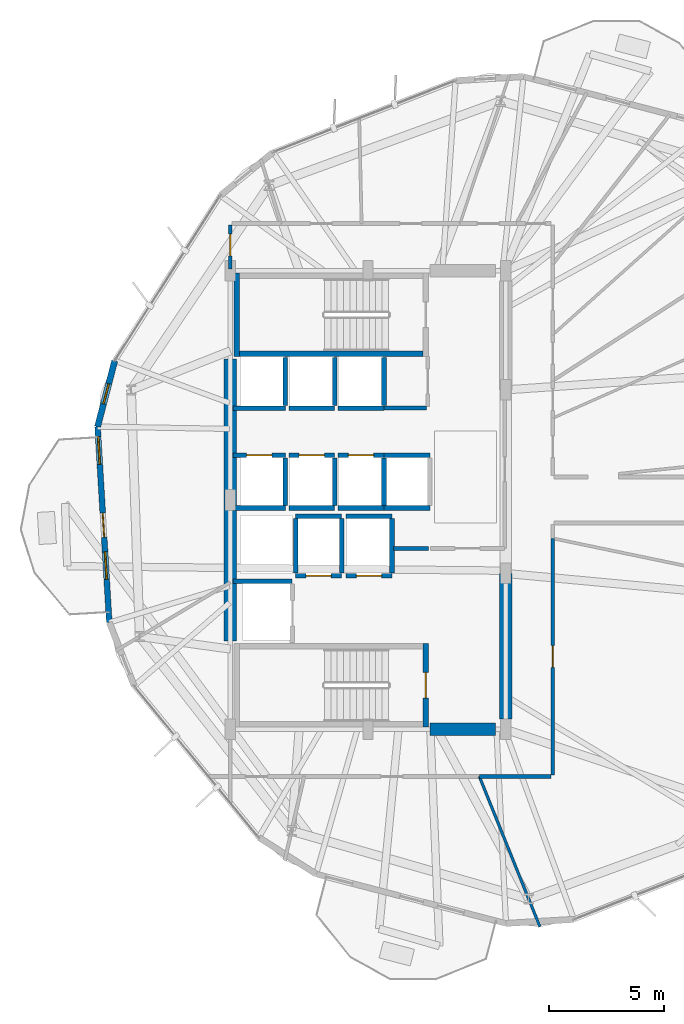
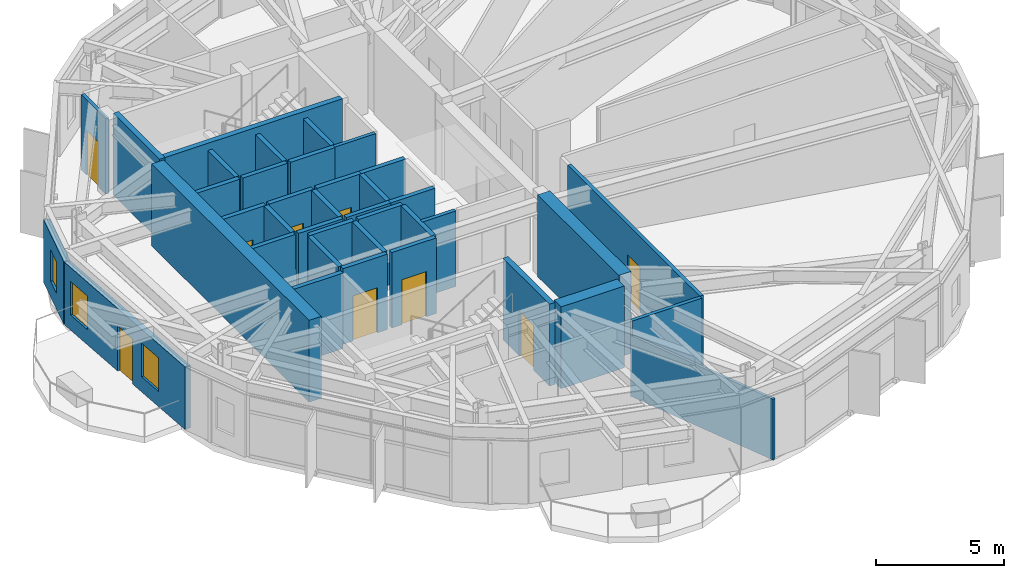
# One storey, part 17 of 22: 39 walls, 9 doors, 3 windows, 12 openings.
"""IFC4 building model written with IfcOpenShell, lengths in metres."""

from ifc_helpers import new_model, si_unit, direction, frame, frame_2d, origin, place, context, subcontext, project, spatial, rectangle, extrude, material, layer, layer_set, type_object, element, fill, save


model = new_model("IFC4")

# Units and contexts
model_context = context("Model", 3, precision=1e-05, world=origin(), true_north=direction((0.0, 1.0)))
body_context = subcontext(model_context, "Body", "Model", "MODEL_VIEW")
ifc_project = project(units=[si_unit("LENGTHUNIT", "METRE"), si_unit("AREAUNIT", "SQUARE_METRE"), si_unit("VOLUMEUNIT", "CUBIC_METRE"), si_unit("PLANEANGLEUNIT", "RADIAN"), si_unit("MASSUNIT", "GRAM", prefix="KILO")], contexts=[model_context])

# Site, building, storey
site_placement = place(None, origin())
site = spatial("IfcSite", under=ifc_project, at=site_placement, CompositionType="ELEMENT")
building_placement = place(site_placement, origin())
building = spatial("IfcBuilding", under=site, at=building_placement, Name="Soratama Intermodal Tower", CompositionType="ELEMENT")
storey_placement = place(building_placement, frame((0.0, 0.0, 110.800048828125)))
storey = spatial("IfcBuildingStorey", under=building, at=storey_placement, Name="L26", CompositionType="ELEMENT", Elevation=110.800048828125)

# Wall, openings, door, windows
ifc_material_1 = material(Name="Concrete f'c 42 MPa", Category="concrete")
ifc_layer_1 = layer(ifc_material_1, 0.25)
ifc_layer_set_1 = layer_set([ifc_layer_1], Name="Concrete f'c 42 MPa")
wall_type_1 = type_object("IfcWallType", Name="EW-BAL-250", PredefinedType="SOLIDWALL", material=ifc_layer_set_1)
wall_1_placement = place(storey_placement, frame((26.814697265625, 28.197509765625, 0.0), z_axis=(0.0, 0.0, 1.0), x_axis=(0.059655660005, -0.998219015161, 0.0)))
wall_1 = element("IfcWall", 1, at=wall_1_placement, inside=storey, type_object=wall_type_1, Name="L26 Terrace Wall F05", PredefinedType="SOLIDWALL", context=body_context, shape_type="SweptSolid", body=[
    extrude(rectangle(XDim=8.55322265625, YDim=0.25, at=frame_2d((4.276611328125, 0.0))), origin(), (0.0, 0.0, 1.0), 2.97900390625),
])
opening_1_placement = place(wall_1_placement, frame((3.776611328125, 0.0, 0.0)))
opening_1 = element("IfcOpeningElement", 2, at=opening_1_placement, cuts=wall_1, Name="Opening ED-5", PredefinedType="OPENING", context=body_context, shape_type="SweptSolid", body=[
    extrude(rectangle(XDim=1.050048828125, YDim=2.14990234375, at=frame_2d((0.52490234375, 1.074951171875))), frame((0.0, 0.135009765625, 0.0), z_axis=(0.0, -1.0, 0.0), x_axis=(1.0, 0.0, 0.0)), (0.0, 0.0, 1.0), 0.27001953125),
])
opening_2_placement = place(wall_1_placement, frame((0.43994140625, 0.0, 0.719970703125)))
opening_2 = element("IfcOpeningElement", 3, at=opening_2_placement, cuts=wall_1, Name="Opening WN-2", PredefinedType="OPENING", context=body_context, shape_type="SweptSolid", body=[
    extrude(rectangle(XDim=1.199951171875, YDim=1.60009765625, at=frame_2d((0.60009765625, 0.800048828125))), frame((0.0, 0.135009765625, 0.0), z_axis=(0.0, -1.0, 0.0), x_axis=(1.0, 0.0, 0.0)), (0.0, 0.0, 1.0), 0.27001953125),
])
opening_3_placement = place(wall_1_placement, frame((5.466552734375, 0.0, 0.719970703125)))
opening_3 = element("IfcOpeningElement", 4, at=opening_3_placement, cuts=wall_1, Name="Opening WN-2", PredefinedType="OPENING", context=body_context, shape_type="SweptSolid", body=[
    extrude(rectangle(XDim=1.199951171875, YDim=1.60009765625, at=frame_2d((0.60009765625, 0.800048828125))), frame((0.0, 0.135009765625, 0.0), z_axis=(0.0, -1.0, 0.0), x_axis=(1.0, 0.0, 0.0)), (0.0, 0.0, 1.0), 0.27001953125),
])
ifc_material_2 = material(Name="Double-glazed aluminium door", Category="aluminium")
door_type_1 = type_object("IfcDoorType", Name="DR-BAL-1050", OperationType="NOTDEFINED", PredefinedType="DOOR", material=ifc_material_2)
door_1_placement = place(opening_1_placement, origin())
door_1 = element("IfcDoor", 5, at=door_1_placement, inside=storey, type_object=door_type_1, Name="L26 Balcony Door F05", OperationType="SINGLE_SWING_LEFT", OverallHeight=2.14990234375, OverallWidth=1.050048828125, PredefinedType="DOOR", context=body_context, shape_type="SweptSolid", body=[
    extrude(rectangle(XDim=1.050048828125, YDim=2.14990234375, at=frame_2d((0.52490234375, 1.074951171875))), frame((0.0, 0.02490234375, 0.0), z_axis=(0.0, -1.0, 0.0), x_axis=(1.0, 0.0, 0.0)), (0.0, 0.0, 1.0), 0.050048828125),
])
fill(opening_1, door_1)
ifc_material_3 = material(Name="Double-glazed aluminium window", Category="aluminium")
window_type_1 = type_object("IfcWindowType", Name="WN-FAC-1200", PartitioningType="SINGLE_PANEL", PredefinedType="WINDOW", material=ifc_material_3)
window_1_placement = place(opening_2_placement, origin())
window_1 = element("IfcWindow", 6, at=window_1_placement, inside=storey, type_object=window_type_1, Name="L26 Window A F05", OverallHeight=1.60009765625, OverallWidth=1.199951171875, PartitioningType="SINGLE_PANEL", PredefinedType="WINDOW", context=body_context, shape_type="SweptSolid", body=[
    extrude(rectangle(XDim=1.199951171875, YDim=1.60009765625, at=frame_2d((0.60009765625, 0.800048828125))), frame((0.0, 0.030029296875, 0.0), z_axis=(0.0, -1.0, 0.0), x_axis=(1.0, 0.0, 0.0)), (0.0, 0.0, 1.0), 0.06005859375),
])
fill(opening_2, window_1)
window_2_placement = place(opening_3_placement, origin())
window_2 = element("IfcWindow", 7, at=window_2_placement, inside=storey, type_object=window_type_1, Name="L26 Window B F05", OverallHeight=1.60009765625, OverallWidth=1.199951171875, PartitioningType="SINGLE_PANEL", PredefinedType="WINDOW", context=body_context, shape_type="SweptSolid", body=[
    extrude(rectangle(XDim=1.199951171875, YDim=1.60009765625, at=frame_2d((0.60009765625, 0.800048828125))), frame((0.0, 0.030029296875, 0.0), z_axis=(0.0, -1.0, 0.0), x_axis=(1.0, 0.0, 0.0)), (0.0, 0.0, 1.0), 0.06005859375),
])
fill(opening_3, window_2)

# Wall, opening, window
ifc_material_4 = material(Name="Concrete f'c 42 MPa", Category="concrete")
ifc_layer_2 = layer(ifc_material_4, 0.27001953125)
ifc_layer_set_2 = layer_set([ifc_layer_2], Name="Concrete f'c 42 MPa")
wall_type_2 = type_object("IfcWallType", Name="EW-CRN-270", PredefinedType="SOLIDWALL", material=ifc_layer_set_2)
wall_2_placement = place(storey_placement, frame((27.5615234375, 31.068603515625, 0.0), z_axis=(0.0, 0.0, 1.0), x_axis=(-0.251741768545, -0.967794442002, 0.0)))
wall_2 = element("IfcWall", 8, at=wall_2_placement, inside=storey, type_object=wall_type_2, Name="L26 Corner Closure Wall 04", PredefinedType="SOLIDWALL", context=body_context, shape_type="SweptSolid", body=[
    extrude(rectangle(XDim=2.966552734375, YDim=0.27001953125, at=frame_2d((1.4833984375, 0.0))), origin(), (0.0, 0.0, 1.0), 2.97900390625),
])
opening_4_placement = place(wall_2_placement, frame((1.033203125, 0.0, 0.75)))
opening_4 = element("IfcOpeningElement", 9, at=opening_4_placement, cuts=wall_2, Name="Opening WN-6", PredefinedType="OPENING", context=body_context, shape_type="SweptSolid", body=[
    extrude(rectangle(XDim=0.89990234375, YDim=1.5, at=frame_2d((0.449951171875, 0.75))), frame((0.0, 0.14501953125, 0.0), z_axis=(0.0, -1.0, 0.0), x_axis=(1.0, 0.0, 0.0)), (0.0, 0.0, 1.0), 0.2900390625),
])
ifc_material_5 = material(Name="Double-glazed aluminium window", Category="aluminium")
window_type_2 = type_object("IfcWindowType", Name="WN-FAC-900", PartitioningType="SINGLE_PANEL", PredefinedType="WINDOW", material=ifc_material_5)
window_3_placement = place(opening_4_placement, origin())
window_3 = element("IfcWindow", 10, at=window_3_placement, inside=storey, type_object=window_type_2, Name="L26 Corner Window 04", OverallHeight=1.5, OverallWidth=0.89990234375, PartitioningType="SINGLE_PANEL", PredefinedType="WINDOW", context=body_context, shape_type="SweptSolid", body=[
    extrude(rectangle(XDim=0.89990234375, YDim=1.5, at=frame_2d((0.449951171875, 0.75))), frame((0.0, 0.030029296875, 0.0), z_axis=(0.0, -1.0, 0.0), x_axis=(1.0, 0.0, 0.0)), (0.0, 0.0, 1.0), 0.06005859375),
])
fill(opening_4, window_3)

# Wall, opening, door
ifc_material_6 = material(Name="Fire-rated gypsum stud partition", Category="concrete")
ifc_layer_3 = layer(ifc_material_6, 0.159912109375)
ifc_layer_set_3 = layer_set([ifc_layer_3], Name="Fire-rated gypsum stud partition")
wall_type_3 = type_object("IfcWallType", Name="IW-PART-R160", PredefinedType="PARTITIONING", material=ifc_layer_set_3)
wall_3_placement = place(storey_placement, frame((46.64990234375, 23.330078125, 0.0), z_axis=(0.0, 0.0, 1.0), x_axis=(0.0, -1.0, 0.0)))
wall_3 = element("IfcWall", 11, at=wall_3_placement, inside=storey, type_object=wall_type_3, Name="L26 Partition W-L26-TP008", PredefinedType="PARTITIONING", context=body_context, shape_type="SweptSolid", body=[
    extrude(rectangle(XDim=10.31005859375, YDim=0.159912109375, at=frame_2d((5.155029296875, 0.0))), origin(), (0.0, 0.0, 1.0), 3.599853515625),
])
opening_5_placement = place(wall_3_placement, frame((4.679931640625, 0.0, 0.0)))
opening_5 = element("IfcOpeningElement", 12, at=opening_5_placement, cuts=wall_3, Name="Opening ID-3", PredefinedType="OPENING", context=body_context, shape_type="SweptSolid", body=[
    extrude(rectangle(XDim=0.949951171875, YDim=2.14990234375, at=frame_2d((0.47509765625, 1.074951171875))), frame((0.0, 0.08984375, 0.0), z_axis=(0.0, -1.0, 0.0), x_axis=(1.0, 0.0, 0.0)), (0.0, 0.0, 1.0), 0.179931640625),
])
ifc_material_7 = material(Name="Solid hardwood acoustic door", Category="wood")
door_type_2 = type_object("IfcDoorType", Name="DR-ROOM-950", OperationType="NOTDEFINED", PredefinedType="DOOR", material=ifc_material_7)
door_2_placement = place(opening_5_placement, origin())
door_2 = element("IfcDoor", 13, at=door_2_placement, inside=storey, type_object=door_type_2, Name="L26 Door D-L26-TP003", OperationType="SINGLE_SWING_RIGHT", OverallHeight=2.14990234375, OverallWidth=0.949951171875, PredefinedType="DOOR", context=body_context, shape_type="SweptSolid", body=[
    extrude(rectangle(XDim=0.949951171875, YDim=2.14990234375, at=frame_2d((0.47509765625, 1.074951171875))), frame((0.0, 0.02490234375, 0.0), z_axis=(0.0, -1.0, 0.0), x_axis=(1.0, 0.0, 0.0)), (0.0, 0.0, 1.0), 0.050048828125),
])
fill(opening_5, door_2)

# Wall
wall_4_placement = place(storey_placement, frame((46.580078125, 12.949951171875, 0.0), z_axis=(0.0, 0.0, 1.0), x_axis=(-1.0, 0.0, 0.0)))
element("IfcWall", 14, at=wall_4_placement, inside=storey, type_object=wall_type_3, Name="L26 Partition W-L26-TP023", PredefinedType="PARTITIONING", context=body_context, shape_type="SweptSolid", body=[
    extrude(rectangle(XDim=3.125, YDim=0.159912109375, at=frame_2d((1.5625, 0.0))), origin(), (0.0, 0.0, 1.0), 3.599853515625),
])

# Wall, opening, door
wall_5_placement = place(storey_placement, frame((32.60009765625, 35.070068359375, 0.0), z_axis=(0.0, 0.0, 1.0), x_axis=(0.0, 1.0, 0.0)))
wall_5 = element("IfcWall", 15, at=wall_5_placement, inside=storey, type_object=wall_type_3, Name="L26 Partition W-L26-TP031", PredefinedType="PARTITIONING", context=body_context, shape_type="SweptSolid", body=[
    extrude(rectangle(XDim=1.909912109375, YDim=0.159912109375, at=frame_2d((0.955078125, 0.0))), origin(), (0.0, 0.0, 1.0), 3.599853515625),
])
opening_6_placement = place(wall_5_placement, frame((0.574951171875, 0.0, 0.0)))
opening_6 = element("IfcOpeningElement", 16, at=opening_6_placement, cuts=wall_5, Name="Opening ID-3", PredefinedType="OPENING", context=body_context, shape_type="SweptSolid", body=[
    extrude(rectangle(XDim=0.949951171875, YDim=2.14990234375, at=frame_2d((0.47509765625, 1.074951171875))), frame((0.0, 0.08984375, 0.0), z_axis=(0.0, -1.0, 0.0), x_axis=(1.0, 0.0, 0.0)), (0.0, 0.0, 1.0), 0.179931640625),
])
door_3_placement = place(opening_6_placement, origin())
door_3 = element("IfcDoor", 17, at=door_3_placement, inside=storey, type_object=door_type_2, Name="L26 Door D-L26-TP015", OperationType="SINGLE_SWING_RIGHT", OverallHeight=2.14990234375, OverallWidth=0.949951171875, PredefinedType="DOOR", context=body_context, shape_type="SweptSolid", body=[
    extrude(rectangle(XDim=0.949951171875, YDim=2.14990234375, at=frame_2d((0.47509765625, 1.074951171875))), frame((0.0, 0.02490234375, 0.0), z_axis=(0.0, -1.0, 0.0), x_axis=(1.0, 0.0, 0.0)), (0.0, 0.0, 1.0), 0.050048828125),
])
fill(opening_6, door_3)

# Walls
wall_6_placement = place(storey_placement, frame((39.300048828125, 29.010009765625, 0.0), z_axis=(0.0, 0.0, 1.0), x_axis=(1.0, 0.0, 0.0)))
element("IfcWall", 18, at=wall_6_placement, inside=storey, type_object=wall_type_3, Name="L26 Partition W-L26-TP032", PredefinedType="PARTITIONING", context=body_context, shape_type="SweptSolid", body=[
    extrude(rectangle(XDim=1.85986328125, YDim=0.159912109375, at=frame_2d((0.929931640625, 0.0))), origin(), (0.0, 0.0, 1.0), 3.599853515625),
])
ifc_material_8 = material(Name="Fire-rated gypsum stud partition", Category="concrete")
ifc_layer_4 = layer(ifc_material_8, 0.169921875)
ifc_layer_set_4 = layer_set([ifc_layer_4], Name="Fire-rated gypsum stud partition")
wall_type_4 = type_object("IfcWallType", Name="IW-PART-R170", PredefinedType="PARTITIONING", material=ifc_layer_set_4)
wall_7_placement = place(storey_placement, frame((39.719970703125, 22.889892578125, 0.0), z_axis=(0.0, 0.0, 1.0), x_axis=(1.0, 0.0, 0.0)))
element("IfcWall", 19, at=wall_7_placement, inside=storey, type_object=wall_type_4, Name="L26 Partition W-L26-TP035", PredefinedType="PARTITIONING", context=body_context, shape_type="SweptSolid", body=[
    extrude(rectangle(XDim=1.52001953125, YDim=0.169921875, at=frame_2d((0.760009765625, 0.0))), origin(), (0.0, 0.0, 1.0), 3.599853515625),
])
ifc_material_9 = material(Name="Fire-rated gypsum stud partition", Category="concrete")
ifc_layer_5 = layer(ifc_material_9, 0.1201171875)
ifc_layer_set_5 = layer_set([ifc_layer_5], Name="Fire-rated gypsum stud partition")
wall_type_5 = type_object("IfcWallType", Name="IW-PART-S120", PredefinedType="PARTITIONING", material=ifc_layer_set_5)
wall_8_placement = place(storey_placement, frame((43.455078125, 12.949951171875, 0.0), z_axis=(0.0, 0.0, 1.0), x_axis=(0.373813530102, -0.927503878543, 0.0)))
element("IfcWall", 20, at=wall_8_placement, inside=storey, type_object=wall_type_5, Name="L26 Partition W-L26-TP011", PredefinedType="PARTITIONING", context=body_context, shape_type="SweptSolid", body=[
    extrude(rectangle(XDim=7.0673828125, YDim=0.1201171875, at=frame_2d((3.53369140625, 0.0))), origin(), (0.0, 0.0, 1.0), 2.89501953125),
])

# Wall, opening, door
ifc_material_10 = material(Name="Concrete f'c 42 MPa", Category="concrete")
ifc_layer_6 = layer(ifc_material_10, 0.199951171875)
ifc_layer_set_6 = layer_set([ifc_layer_6], Name="Concrete f'c 42 MPa")
wall_type_6 = type_object("IfcWallType", Name="IW-SHAFT-200", PredefinedType="SOLIDWALL", material=ifc_layer_set_6)
wall_9_placement = place(storey_placement, frame((35.449951171875, 21.699951171875, 0.0), z_axis=(0.0, 0.0, 1.0), x_axis=(1.0, 0.0, 0.0)))
wall_9 = element("IfcWall", 21, at=wall_9_placement, inside=storey, type_object=wall_type_6, Name="L26 FFL-1 Hoistway Wall S", PredefinedType="SOLIDWALL", context=body_context, shape_type="SweptSolid", body=[
    extrude(rectangle(XDim=2.0, YDim=0.199951171875, at=frame_2d((1.0, 0.0))), origin(), (0.0, 0.0, 1.0), 3.599853515625),
])
opening_7_placement = place(wall_9_placement, frame((0.449951171875, 0.0, 0.0)))
opening_7 = element("IfcOpeningElement", 22, at=opening_7_placement, cuts=wall_9, Name="Opening LD-1", PredefinedType="OPENING", context=body_context, shape_type="SweptSolid", body=[
    extrude(rectangle(XDim=1.10009765625, YDim=2.14990234375, at=frame_2d((0.550048828125, 1.074951171875))), frame((0.0, 0.10986328125, 0.0), z_axis=(0.0, -1.0, 0.0), x_axis=(1.0, 0.0, 0.0)), (0.0, 0.0, 1.0), 0.219970703125),
])
ifc_material_11 = material(Name="Steel fire door", Category="steel")
door_type_3 = type_object("IfcDoorType", Name="DR-LIFT-SLIDE", OperationType="NOTDEFINED", PredefinedType="DOOR", material=ifc_material_11)
door_4_placement = place(opening_7_placement, origin())
door_4 = element("IfcDoor", 23, at=door_4_placement, inside=storey, type_object=door_type_3, Name="L26 FFL-1 Sliding Landing Door", OperationType="SLIDING_TO_LEFT", OverallHeight=2.14990234375, OverallWidth=1.10009765625, PredefinedType="DOOR", context=body_context, shape_type="SweptSolid", body=[
    extrude(rectangle(XDim=1.10009765625, YDim=2.14990234375, at=frame_2d((0.550048828125, 1.074951171875))), frame((0.0, 0.02490234375, 0.0), z_axis=(0.0, -1.0, 0.0), x_axis=(1.0, 0.0, 0.0)), (0.0, 0.0, 1.0), 0.050048828125),
])
fill(opening_7, door_4)

# Walls
wall_10_placement = place(storey_placement, frame((35.449951171875, 24.300048828125, 0.0), z_axis=(0.0, 0.0, 1.0), x_axis=(1.0, 0.0, 0.0)))
element("IfcWall", 24, at=wall_10_placement, inside=storey, type_object=wall_type_6, Name="L26 FFL-1 Hoistway Wall N", PredefinedType="SOLIDWALL", context=body_context, shape_type="SweptSolid", body=[
    extrude(rectangle(XDim=2.0, YDim=0.199951171875, at=frame_2d((1.0, 0.0))), origin(), (0.0, 0.0, 1.0), 3.599853515625),
])
for number, where, z_axis, x_axis, name in (
    (25, (35.449951171875, 21.81005859375, 0.0), (0.0, 0.0, 1.0), (0.0, 1.0, 0.0), "L26 FFL-1 Hoistway Wall W"),
    (26, (37.449951171875, 21.81005859375, 0.0), (0.0, 0.0, 1.0), (0.0, 1.0, 0.0), "L26 FFL-1 Hoistway Wall E"),
):
    element("IfcWall", number, at=place(storey_placement, frame(where, z_axis=z_axis, x_axis=x_axis)), inside=storey, type_object=wall_type_6, Name=name, PredefinedType="SOLIDWALL", context=body_context, shape_type="SweptSolid", body=[
        extrude(rectangle(XDim=2.3798828125, YDim=0.199951171875, at=frame_2d((1.18994140625, 0.0))), origin(), (0.0, 0.0, 1.0), 3.599853515625),
    ])

# Wall, opening, door
wall_11_placement = place(storey_placement, frame((37.64990234375, 21.699951171875, 0.0), z_axis=(0.0, 0.0, 1.0), x_axis=(1.0, 0.0, 0.0)))
wall_11 = element("IfcWall", 27, at=wall_11_placement, inside=storey, type_object=wall_type_6, Name="L26 FFL-2 Hoistway Wall S", PredefinedType="SOLIDWALL", context=body_context, shape_type="SweptSolid", body=[
    extrude(rectangle(XDim=2.0, YDim=0.199951171875, at=frame_2d((1.0, 0.0))), origin(), (0.0, 0.0, 1.0), 3.599853515625),
])
opening_8_placement = place(wall_11_placement, frame((0.449951171875, 0.0, 0.0)))
opening_8 = element("IfcOpeningElement", 28, at=opening_8_placement, cuts=wall_11, Name="Opening LD-1", PredefinedType="OPENING", context=body_context, shape_type="SweptSolid", body=[
    extrude(rectangle(XDim=1.10009765625, YDim=2.14990234375, at=frame_2d((0.550048828125, 1.074951171875))), frame((0.0, 0.10986328125, 0.0), z_axis=(0.0, -1.0, 0.0), x_axis=(1.0, 0.0, 0.0)), (0.0, 0.0, 1.0), 0.219970703125),
])
door_5_placement = place(opening_8_placement, origin())
door_5 = element("IfcDoor", 29, at=door_5_placement, inside=storey, type_object=door_type_3, Name="L26 FFL-2 Sliding Landing Door", OperationType="SLIDING_TO_LEFT", OverallHeight=2.14990234375, OverallWidth=1.10009765625, PredefinedType="DOOR", context=body_context, shape_type="SweptSolid", body=[
    extrude(rectangle(XDim=1.10009765625, YDim=2.14990234375, at=frame_2d((0.550048828125, 1.074951171875))), frame((0.0, 0.02490234375, 0.0), z_axis=(0.0, -1.0, 0.0), x_axis=(1.0, 0.0, 0.0)), (0.0, 0.0, 1.0), 0.050048828125),
])
fill(opening_8, door_5)

# Walls
wall_12_placement = place(storey_placement, frame((37.64990234375, 24.300048828125, 0.0), z_axis=(0.0, 0.0, 1.0), x_axis=(1.0, 0.0, 0.0)))
element("IfcWall", 30, at=wall_12_placement, inside=storey, type_object=wall_type_6, Name="L26 FFL-2 Hoistway Wall N", PredefinedType="SOLIDWALL", context=body_context, shape_type="SweptSolid", body=[
    extrude(rectangle(XDim=2.0, YDim=0.199951171875, at=frame_2d((1.0, 0.0))), origin(), (0.0, 0.0, 1.0), 3.599853515625),
])
wall_13_placement = place(storey_placement, frame((39.64990234375, 21.81005859375, 0.0), z_axis=(0.0, 0.0, 1.0), x_axis=(0.0, 1.0, 0.0)))
element("IfcWall", 31, at=wall_13_placement, inside=storey, type_object=wall_type_6, Name="L26 FFL-2 Hoistway Wall E", PredefinedType="SOLIDWALL", context=body_context, shape_type="SweptSolid", body=[
    extrude(rectangle(XDim=2.3798828125, YDim=0.199951171875, at=frame_2d((1.18994140625, 0.0))), origin(), (0.0, 0.0, 1.0), 3.599853515625),
])
wall_14_placement = place(storey_placement, frame((32.719970703125, 21.449951171875, 0.0), z_axis=(0.0, 0.0, 1.0), x_axis=(1.0, 0.0, 0.0)))
element("IfcWall", 32, at=wall_14_placement, inside=storey, type_object=wall_type_6, Name="L26 SVL-1 Hoistway Wall N", PredefinedType="SOLIDWALL", context=body_context, shape_type="SweptSolid", body=[
    extrude(rectangle(XDim=2.580078125, YDim=0.199951171875, at=frame_2d((1.2900390625, 0.0))), origin(), (0.0, 0.0, 1.0), 3.599853515625),
])
wall_15_placement = place(storey_placement, frame((32.719970703125, 24.64990234375, 0.0), z_axis=(0.0, 0.0, 1.0), x_axis=(1.0, 0.0, 0.0)))
element("IfcWall", 33, at=wall_15_placement, inside=storey, type_object=wall_type_6, Name="L26 PL-L1 Hoistway Wall S", PredefinedType="SOLIDWALL", context=body_context, shape_type="SweptSolid", body=[
    extrude(rectangle(XDim=2.280029296875, YDim=0.199951171875, at=frame_2d((1.14013671875, 0.0))), origin(), (0.0, 0.0, 1.0), 3.599853515625),
])

# Wall, opening, door
wall_16_placement = place(storey_placement, frame((32.719970703125, 26.949951171875, 0.0), z_axis=(0.0, 0.0, 1.0), x_axis=(1.0, 0.0, 0.0)))
wall_16 = element("IfcWall", 34, at=wall_16_placement, inside=storey, type_object=wall_type_6, Name="L26 PL-L1 Hoistway Wall N", PredefinedType="SOLIDWALL", context=body_context, shape_type="SweptSolid", body=[
    extrude(rectangle(XDim=2.280029296875, YDim=0.199951171875, at=frame_2d((1.14013671875, 0.0))), origin(), (0.0, 0.0, 1.0), 3.599853515625),
])
opening_9_placement = place(wall_16_placement, frame((0.590087890625, 0.0, 0.0)))
opening_9 = element("IfcOpeningElement", 35, at=opening_9_placement, cuts=wall_16, Name="Opening LD-1", PredefinedType="OPENING", context=body_context, shape_type="SweptSolid", body=[
    extrude(rectangle(XDim=1.10009765625, YDim=2.14990234375, at=frame_2d((0.550048828125, 1.074951171875))), frame((0.0, 0.10986328125, 0.0), z_axis=(0.0, -1.0, 0.0), x_axis=(1.0, 0.0, 0.0)), (0.0, 0.0, 1.0), 0.219970703125),
])
door_6_placement = place(opening_9_placement, origin())
door_6 = element("IfcDoor", 36, at=door_6_placement, inside=storey, type_object=door_type_3, Name="L26 PL-L1 Sliding Landing Door", OperationType="SLIDING_TO_LEFT", OverallHeight=2.14990234375, OverallWidth=1.10009765625, PredefinedType="DOOR", context=body_context, shape_type="SweptSolid", body=[
    extrude(rectangle(XDim=1.10009765625, YDim=2.14990234375, at=frame_2d((0.550048828125, 1.074951171875))), frame((0.0, 0.02490234375, 0.0), z_axis=(0.0, -1.0, 0.0), x_axis=(1.0, 0.0, 0.0)), (0.0, 0.0, 1.0), 0.050048828125),
])
fill(opening_9, door_6)

# Walls
wall_17_placement = place(storey_placement, frame((35.0, 24.760009765625, 0.0), z_axis=(0.0, 0.0, 1.0), x_axis=(0.0, 1.0, 0.0)))
element("IfcWall", 37, at=wall_17_placement, inside=storey, type_object=wall_type_6, Name="L26 PL-L1 Hoistway Wall E", PredefinedType="SOLIDWALL", context=body_context, shape_type="SweptSolid", body=[
    extrude(rectangle(XDim=2.080078125, YDim=0.199951171875, at=frame_2d((1.0400390625, 0.0))), origin(), (0.0, 0.0, 1.0), 3.599853515625),
])
wall_18_placement = place(storey_placement, frame((35.14990234375, 24.64990234375, 0.0), z_axis=(0.0, 0.0, 1.0), x_axis=(1.0, 0.0, 0.0)))
element("IfcWall", 38, at=wall_18_placement, inside=storey, type_object=wall_type_6, Name="L26 PL-L2 Hoistway Wall S", PredefinedType="SOLIDWALL", context=body_context, shape_type="SweptSolid", body=[
    extrude(rectangle(XDim=2.0, YDim=0.199951171875, at=frame_2d((1.0, 0.0))), origin(), (0.0, 0.0, 1.0), 3.599853515625),
])

# Wall, opening, door
wall_19_placement = place(storey_placement, frame((35.14990234375, 26.949951171875, 0.0), z_axis=(0.0, 0.0, 1.0), x_axis=(1.0, 0.0, 0.0)))
wall_19 = element("IfcWall", 39, at=wall_19_placement, inside=storey, type_object=wall_type_6, Name="L26 PL-L2 Hoistway Wall N", PredefinedType="SOLIDWALL", context=body_context, shape_type="SweptSolid", body=[
    extrude(rectangle(XDim=2.0, YDim=0.199951171875, at=frame_2d((1.0, 0.0))), origin(), (0.0, 0.0, 1.0), 3.599853515625),
])
opening_10_placement = place(wall_19_placement, frame((0.449951171875, 0.0, 0.0)))
opening_10 = element("IfcOpeningElement", 40, at=opening_10_placement, cuts=wall_19, Name="Opening LD-1", PredefinedType="OPENING", context=body_context, shape_type="SweptSolid", body=[
    extrude(rectangle(XDim=1.10009765625, YDim=2.14990234375, at=frame_2d((0.550048828125, 1.074951171875))), frame((0.0, 0.10986328125, 0.0), z_axis=(0.0, -1.0, 0.0), x_axis=(1.0, 0.0, 0.0)), (0.0, 0.0, 1.0), 0.219970703125),
])
door_7_placement = place(opening_10_placement, origin())
door_7 = element("IfcDoor", 41, at=door_7_placement, inside=storey, type_object=door_type_3, Name="L26 PL-L2 Sliding Landing Door", OperationType="SLIDING_TO_LEFT", OverallHeight=2.14990234375, OverallWidth=1.10009765625, PredefinedType="DOOR", context=body_context, shape_type="SweptSolid", body=[
    extrude(rectangle(XDim=1.10009765625, YDim=2.14990234375, at=frame_2d((0.550048828125, 1.074951171875))), frame((0.0, 0.02490234375, 0.0), z_axis=(0.0, -1.0, 0.0), x_axis=(1.0, 0.0, 0.0)), (0.0, 0.0, 1.0), 0.050048828125),
])
fill(opening_10, door_7)

# Walls
wall_20_placement = place(storey_placement, frame((37.14990234375, 24.760009765625, 0.0), z_axis=(0.0, 0.0, 1.0), x_axis=(0.0, 1.0, 0.0)))
element("IfcWall", 42, at=wall_20_placement, inside=storey, type_object=wall_type_6, Name="L26 PL-L2 Hoistway Wall E", PredefinedType="SOLIDWALL", context=body_context, shape_type="SweptSolid", body=[
    extrude(rectangle(XDim=2.080078125, YDim=0.199951171875, at=frame_2d((1.0400390625, 0.0))), origin(), (0.0, 0.0, 1.0), 3.599853515625),
])
wall_21_placement = place(storey_placement, frame((37.300048828125, 24.64990234375, 0.0), z_axis=(0.0, 0.0, 1.0), x_axis=(1.0, 0.0, 0.0)))
element("IfcWall", 43, at=wall_21_placement, inside=storey, type_object=wall_type_6, Name="L26 PL-L3 Hoistway Wall S", PredefinedType="SOLIDWALL", context=body_context, shape_type="SweptSolid", body=[
    extrude(rectangle(XDim=2.0, YDim=0.199951171875, at=frame_2d((1.0, 0.0))), origin(), (0.0, 0.0, 1.0), 3.599853515625),
])

# Wall, opening, door
wall_22_placement = place(storey_placement, frame((37.300048828125, 26.949951171875, 0.0), z_axis=(0.0, 0.0, 1.0), x_axis=(1.0, 0.0, 0.0)))
wall_22 = element("IfcWall", 44, at=wall_22_placement, inside=storey, type_object=wall_type_6, Name="L26 PL-L3 Hoistway Wall N", PredefinedType="SOLIDWALL", context=body_context, shape_type="SweptSolid", body=[
    extrude(rectangle(XDim=2.0, YDim=0.199951171875, at=frame_2d((1.0, 0.0))), origin(), (0.0, 0.0, 1.0), 3.599853515625),
])
opening_11_placement = place(wall_22_placement, frame((0.449951171875, 0.0, 0.0)))
opening_11 = element("IfcOpeningElement", 45, at=opening_11_placement, cuts=wall_22, Name="Opening LD-1", PredefinedType="OPENING", context=body_context, shape_type="SweptSolid", body=[
    extrude(rectangle(XDim=1.10009765625, YDim=2.14990234375, at=frame_2d((0.550048828125, 1.074951171875))), frame((0.0, 0.10986328125, 0.0), z_axis=(0.0, -1.0, 0.0), x_axis=(1.0, 0.0, 0.0)), (0.0, 0.0, 1.0), 0.219970703125),
])
door_8_placement = place(opening_11_placement, origin())
door_8 = element("IfcDoor", 46, at=door_8_placement, inside=storey, type_object=door_type_3, Name="L26 PL-L3 Sliding Landing Door", OperationType="SLIDING_TO_LEFT", OverallHeight=2.14990234375, OverallWidth=1.10009765625, PredefinedType="DOOR", context=body_context, shape_type="SweptSolid", body=[
    extrude(rectangle(XDim=1.10009765625, YDim=2.14990234375, at=frame_2d((0.550048828125, 1.074951171875))), frame((0.0, 0.02490234375, 0.0), z_axis=(0.0, -1.0, 0.0), x_axis=(1.0, 0.0, 0.0)), (0.0, 0.0, 1.0), 0.050048828125),
])
fill(opening_11, door_8)

# Walls
wall_23_placement = place(storey_placement, frame((39.300048828125, 24.760009765625, 0.0), z_axis=(0.0, 0.0, 1.0), x_axis=(0.0, 1.0, 0.0)))
element("IfcWall", 47, at=wall_23_placement, inside=storey, type_object=wall_type_6, Name="L26 PL-L3 Hoistway Wall E", PredefinedType="SOLIDWALL", context=body_context, shape_type="SweptSolid", body=[
    extrude(rectangle(XDim=2.080078125, YDim=0.199951171875, at=frame_2d((1.0400390625, 0.0))), origin(), (0.0, 0.0, 1.0), 3.599853515625),
])
for number, where, z_axis, x_axis, name in (
    (48, (39.300048828125, 24.64990234375, 0.0), (0.0, 0.0, 1.0), (1.0, 0.0, 0.0), "L26 PL-M1 Hoistway Wall S"),
    (49, (39.300048828125, 26.949951171875, 0.0), (0.0, 0.0, 1.0), (1.0, 0.0, 0.0), "L26 PL-M1 Hoistway Wall N"),
):
    element("IfcWall", number, at=place(storey_placement, frame(where, z_axis=z_axis, x_axis=x_axis)), inside=storey, type_object=wall_type_6, Name=name, PredefinedType="SOLIDWALL", context=body_context, shape_type="SweptSolid", body=[
        extrude(rectangle(XDim=2.0, YDim=0.199951171875, at=frame_2d((1.0, 0.0))), origin(), (0.0, 0.0, 1.0), 3.599853515625),
    ])
wall_24_placement = place(storey_placement, frame((32.719970703125, 29.0, 0.0), z_axis=(0.0, 0.0, 1.0), x_axis=(1.0, 0.0, 0.0)))
element("IfcWall", 50, at=wall_24_placement, inside=storey, type_object=wall_type_6, Name="L26 PL-M2 Hoistway Wall S", PredefinedType="SOLIDWALL", context=body_context, shape_type="SweptSolid", body=[
    extrude(rectangle(XDim=2.280029296875, YDim=0.199951171875, at=frame_2d((1.14013671875, 0.0))), origin(), (0.0, 0.0, 1.0), 3.599853515625),
])
wall_25_placement = place(storey_placement, frame((35.0, 29.110107421875, 0.0), z_axis=(0.0, 0.0, 1.0), x_axis=(0.0, 1.0, 0.0)))
element("IfcWall", 51, at=wall_25_placement, inside=storey, type_object=wall_type_6, Name="L26 PL-M2 Hoistway Wall E", PredefinedType="SOLIDWALL", context=body_context, shape_type="SweptSolid", body=[
    extrude(rectangle(XDim=2.099853515625, YDim=0.199951171875, at=frame_2d((1.0498046875, 0.0))), origin(), (0.0, 0.0, 1.0), 3.599853515625),
])
wall_26_placement = place(storey_placement, frame((35.14990234375, 29.0, 0.0), z_axis=(0.0, 0.0, 1.0), x_axis=(1.0, 0.0, 0.0)))
element("IfcWall", 52, at=wall_26_placement, inside=storey, type_object=wall_type_6, Name="L26 PL-H1 Hoistway Wall S", PredefinedType="SOLIDWALL", context=body_context, shape_type="SweptSolid", body=[
    extrude(rectangle(XDim=2.0, YDim=0.199951171875, at=frame_2d((1.0, 0.0))), origin(), (0.0, 0.0, 1.0), 3.599853515625),
])
wall_27_placement = place(storey_placement, frame((37.14990234375, 29.110107421875, 0.0), z_axis=(0.0, 0.0, 1.0), x_axis=(0.0, 1.0, 0.0)))
element("IfcWall", 53, at=wall_27_placement, inside=storey, type_object=wall_type_6, Name="L26 PL-H1 Hoistway Wall E", PredefinedType="SOLIDWALL", context=body_context, shape_type="SweptSolid", body=[
    extrude(rectangle(XDim=2.099853515625, YDim=0.199951171875, at=frame_2d((1.0498046875, 0.0))), origin(), (0.0, 0.0, 1.0), 3.599853515625),
])
wall_28_placement = place(storey_placement, frame((37.300048828125, 29.0, 0.0), z_axis=(0.0, 0.0, 1.0), x_axis=(1.0, 0.0, 0.0)))
element("IfcWall", 54, at=wall_28_placement, inside=storey, type_object=wall_type_6, Name="L26 PL-H2 Hoistway Wall S", PredefinedType="SOLIDWALL", context=body_context, shape_type="SweptSolid", body=[
    extrude(rectangle(XDim=2.0, YDim=0.199951171875, at=frame_2d((1.0, 0.0))), origin(), (0.0, 0.0, 1.0), 3.599853515625),
])
wall_29_placement = place(storey_placement, frame((39.300048828125, 29.110107421875, 0.0), z_axis=(0.0, 0.0, 1.0), x_axis=(0.0, 1.0, 0.0)))
element("IfcWall", 55, at=wall_29_placement, inside=storey, type_object=wall_type_6, Name="L26 PL-H2 Hoistway Wall E", PredefinedType="SOLIDWALL", context=body_context, shape_type="SweptSolid", body=[
    extrude(rectangle(XDim=2.099853515625, YDim=0.199951171875, at=frame_2d((1.0498046875, 0.0))), origin(), (0.0, 0.0, 1.0), 3.599853515625),
])
ifc_material_12 = material(Name="Concrete f'c 56 MPa", Category="concrete")
ifc_layer_7 = layer(ifc_material_12, 0.550048828125)
ifc_layer_set_7 = layer_set([ifc_layer_7], Name="Concrete f'c 56 MPa")
wall_type_7 = type_object("IfcWallType", Name="SW-CORE-550", PredefinedType="SHEAR", material=ifc_layer_set_7)
wall_30_placement = place(storey_placement, frame((32.60009765625, 18.85009765625, 0.0), z_axis=(0.0, 0.0, 1.0), x_axis=(0.0, 1.0, 0.0)))
element("IfcWall", 56, at=wall_30_placement, inside=storey, type_object=wall_type_7, Name="L26 Core Shear Wall CW-WMID", PredefinedType="SHEAR", context=body_context, shape_type="SweptSolid", body=[
    extrude(rectangle(XDim=12.2998046875, YDim=0.550048828125, at=frame_2d((6.14990234375, 0.0))), origin(), (0.0, 0.0, 1.0), 3.89990234375),
])
wall_31_placement = place(storey_placement, frame((41.300048828125, 15.0, 0.0), z_axis=(0.0, 0.0, 1.0), x_axis=(1.0, 0.0, 0.0)))
element("IfcWall", 57, at=wall_31_placement, inside=storey, type_object=wall_type_7, Name="L26 Core Shear Wall CW-SE", PredefinedType="SHEAR", context=body_context, shape_type="SweptSolid", body=[
    extrude(rectangle(XDim=2.849853515625, YDim=0.550048828125, at=frame_2d((1.4248046875, 0.0))), origin(), (0.0, 0.0, 1.0), 3.89990234375),
])
wall_32_placement = place(storey_placement, frame((44.60009765625, 15.449951171875, 0.0), z_axis=(0.0, 0.0, 1.0), x_axis=(0.0, 1.0, 0.0)))
element("IfcWall", 58, at=wall_32_placement, inside=storey, type_object=wall_type_7, Name="L26 Core Shear Wall CW-ES", PredefinedType="SHEAR", context=body_context, shape_type="SweptSolid", body=[
    extrude(rectangle(XDim=6.35009765625, YDim=0.550048828125, at=frame_2d((3.175048828125, 0.0))), origin(), (0.0, 0.0, 1.0), 3.89990234375),
])

# Wall, opening, door
ifc_material_13 = material(Name="Concrete f'c 56 MPa", Category="concrete")
ifc_layer_8 = layer(ifc_material_13, 0.239990234375)
ifc_layer_set_8 = layer_set([ifc_layer_8], Name="Concrete f'c 56 MPa")
wall_type_8 = type_object("IfcWallType", Name="SW-STAIR-240", PredefinedType="SHEAR", material=ifc_layer_set_8)
wall_33_placement = place(storey_placement, frame((41.1201171875, 15.110107421875, 0.0), z_axis=(0.0, 0.0, 1.0), x_axis=(0.0, 1.0, 0.0)))
wall_33 = element("IfcWall", 59, at=wall_33_placement, inside=storey, type_object=wall_type_8, Name="L26 ST-1 Shaft Shear Wall E", PredefinedType="SHEAR", context=body_context, shape_type="SweptSolid", body=[
    extrude(rectangle(XDim=3.6298828125, YDim=0.239990234375, at=frame_2d((1.81494140625, 0.0))), origin(), (0.0, 0.0, 1.0), 3.89990234375),
])
opening_12_placement = place(wall_33_placement, frame((1.2548828125, 0.0, 0.0)))
opening_12 = element("IfcOpeningElement", 60, at=opening_12_placement, cuts=wall_33, Name="Opening SD-1", PredefinedType="OPENING", context=body_context, shape_type="SweptSolid", body=[
    extrude(rectangle(XDim=1.1201171875, YDim=2.14990234375, at=frame_2d((0.56005859375, 1.074951171875))), frame((0.0, 0.1298828125, 0.0), z_axis=(0.0, -1.0, 0.0), x_axis=(1.0, 0.0, 0.0)), (0.0, 0.0, 1.0), 0.260009765625),
])
ifc_material_14 = material(Name="Steel fire door", Category="steel")
door_type_4 = type_object("IfcDoorType", Name="DR-STAIR-FD90", OperationType="NOTDEFINED", PredefinedType="DOOR", material=ifc_material_14)
door_9_placement = place(opening_12_placement, origin())
door_9 = element("IfcDoor", 61, at=door_9_placement, inside=storey, type_object=door_type_4, Name="L26 ST-1 Exit Stair Door", OperationType="SINGLE_SWING_LEFT", OverallHeight=2.14990234375, OverallWidth=1.1201171875, PredefinedType="DOOR", context=body_context, shape_type="SweptSolid", body=[
    extrude(rectangle(XDim=1.1201171875, YDim=2.14990234375, at=frame_2d((0.56005859375, 1.074951171875))), frame((0.0, 0.02490234375, 0.0), z_axis=(0.0, -1.0, 0.0), x_axis=(1.0, 0.0, 0.0)), (0.0, 0.0, 1.0), 0.050048828125),
])
fill(opening_12, door_9)

# Walls
wall_34_placement = place(storey_placement, frame((32.8798828125, 31.260009765625, 0.0), z_axis=(0.0, 0.0, 1.0), x_axis=(0.0, 1.0, 0.0)))
element("IfcWall", 62, at=wall_34_placement, inside=storey, type_object=wall_type_8, Name="L26 ST-2 Shaft Shear Wall W", PredefinedType="SHEAR", context=body_context, shape_type="SweptSolid", body=[
    extrude(rectangle(XDim=3.6298828125, YDim=0.239990234375, at=frame_2d((1.81494140625, 0.0))), origin(), (0.0, 0.0, 1.0), 3.89990234375),
])
wall_35_placement = place(storey_placement, frame((33.0, 31.3798828125, 0.0), z_axis=(0.0, 0.0, 1.0), x_axis=(1.0, 0.0, 0.0)))
element("IfcWall", 63, at=wall_35_placement, inside=storey, type_object=wall_type_8, Name="L26 ST-2 Shaft Shear Wall S", PredefinedType="SHEAR", context=body_context, shape_type="SweptSolid", body=[
    extrude(rectangle(XDim=8.0, YDim=0.239990234375, at=frame_2d((4.0, 0.0))), origin(), (0.0, 0.0, 1.0), 3.89990234375),
])

save(model, "model.ifc")
